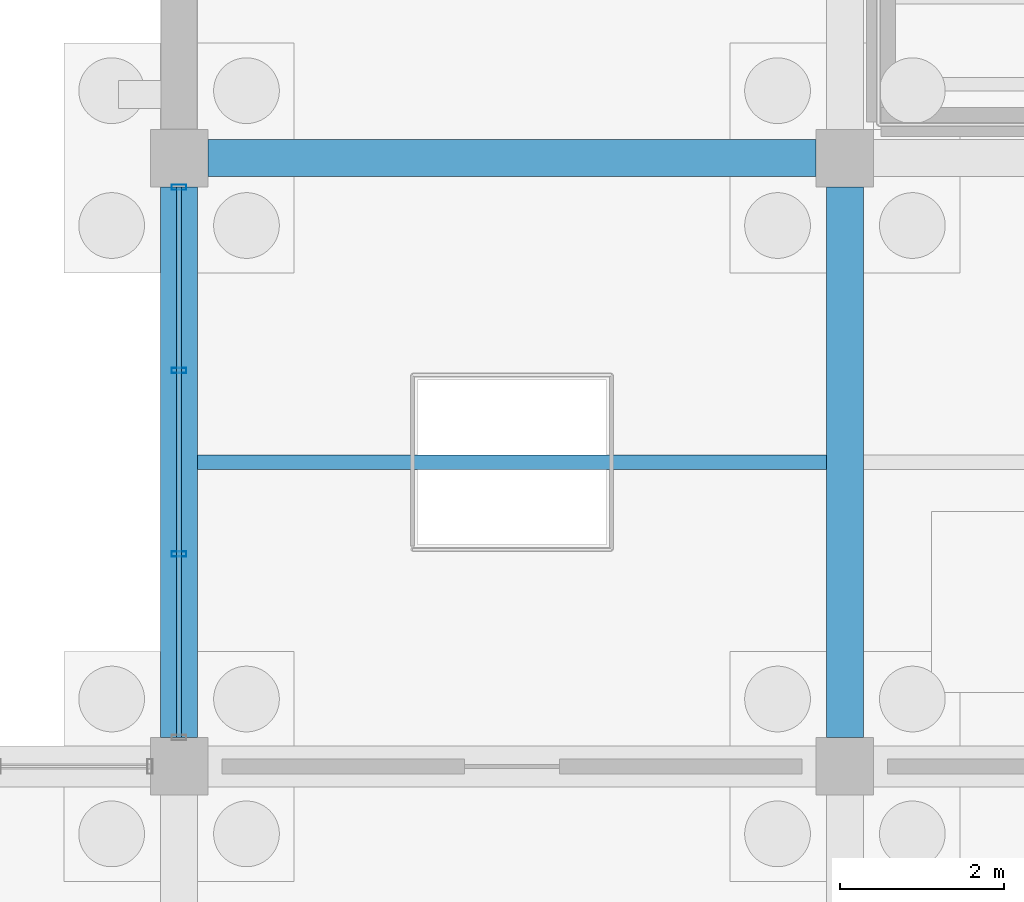
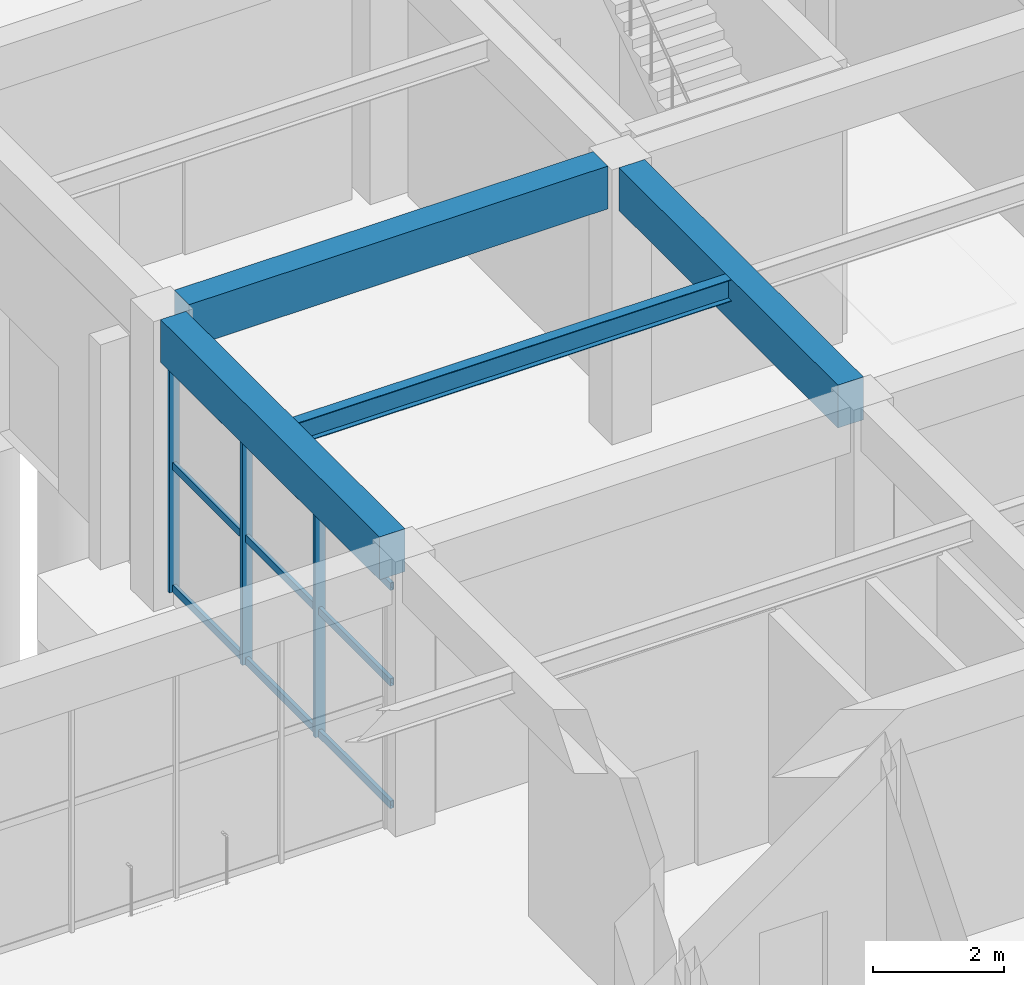
# One storey, part 96 of 140: 6 members, 4 beams, 1 element without a shape of its own.
"""IFC4 building model written with IfcOpenShell, lengths in metres."""

from ifc_helpers import new_model, si_unit, direction, frame, origin, origin_2d, place, context, subcontext, project, spatial, rectangle, hollow_rectangle, i_section, extrude, material, material_profile, profile_set, type_object, element, aggregate, save


model = new_model("IFC4")

# Units and contexts
model_context = context("Model", 3, precision=1e-05, world=origin(), true_north=direction((0.0, 1.0)))
body_context = subcontext(model_context, "Body", "Model", "MODEL_VIEW")
ifc_project = project(units=[si_unit("LENGTHUNIT", "METRE"), si_unit("AREAUNIT", "SQUARE_METRE"), si_unit("VOLUMEUNIT", "CUBIC_METRE"), si_unit("PLANEANGLEUNIT", "RADIAN"), si_unit("MASSUNIT", "GRAM", prefix="KILO")], contexts=[model_context])

# Site, building, storey
site_placement = place(None, origin())
site = spatial("IfcSite", under=ifc_project, at=site_placement, CompositionType="ELEMENT")
building_placement = place(site_placement, origin())
building = spatial("IfcBuilding", under=site, at=building_placement, Name="Cimatlan Art Gallery", CompositionType="ELEMENT")
storey_placement = place(building_placement, origin())
storey = spatial("IfcBuildingStorey", under=building, at=storey_placement, Name="L00", CompositionType="ELEMENT", Elevation=0.0)

# Beams
ifc_material_1 = material(Name="Concrete C40/50", Category="concrete")
ifc_material_profile_1 = material_profile(ifc_material_1, rectangle(XDim=0.449951171875, YDim=0.800048828125, at=origin_2d()), Name="RC450X800")
ifc_profile_set_1 = profile_set([ifc_material_profile_1], Name="Concrete C40/50")
beam_type_1 = type_object("IfcBeamType", Name="BM-RC-450X800", PredefinedType="BEAM", material=ifc_profile_set_1)
for number, where, z_axis, x_axis, name in (
    (1, (147.800048828125, 39.050048828125, 4.735107421875), (0.0, 1.0, 0.0), (-1.0, 0.0, 0.0), "BM-Y-L00-18-05"),
    (2, (155.89990234375, 39.050048828125, 4.735107421875), (0.0, 1.0, 0.0), (-1.0, 0.0, 0.0), "BM-Y-L00-19-05"),
):
    element("IfcBeam", number, at=place(storey_placement, frame(where, z_axis=z_axis, x_axis=x_axis)), inside=storey, type_object=beam_type_1, Name=name, PredefinedType="BEAM", context=body_context, shape_type="SweptSolid", body=[
        extrude(rectangle(XDim=0.449951171875, YDim=0.800048828125, at=origin_2d()), origin(), (0.0, 0.0, 1.0), 6.699951171875),
    ])
beam_1_placement = place(storey_placement, frame((148.14990234375, 46.10009765625, 4.735107421875), z_axis=(1.0, 0.0, 0.0), x_axis=(0.0, 1.0, 0.0)))
element("IfcBeam", 3, at=beam_1_placement, inside=storey, type_object=beam_type_1, Name="BM-X-L00-18-06", PredefinedType="BEAM", context=body_context, shape_type="SweptSolid", body=[
    extrude(rectangle(XDim=0.449951171875, YDim=0.800048828125, at=origin_2d()), origin(), (0.0, 0.0, 1.0), 7.400146484375),
])
ifc_material_2 = material(Name="Steel ASTM A992 Grade 50", Category="steel")
ifc_material_profile_2 = material_profile(ifc_material_2, i_section(OverallWidth=0.177978515625, OverallDepth=0.406982421875, WebThickness=0.0078125, FlangeThickness=0.0126953125, at=origin_2d()), Name="W16X40")
ifc_profile_set_2 = profile_set([ifc_material_profile_2], Name="Steel ASTM A992 Grade 50")
beam_type_2 = type_object("IfcBeamType", Name="BM-STL-W16X40", PredefinedType="JOIST", material=ifc_profile_set_2)
beam_2_placement = place(storey_placement, frame((148.02490234375, 42.39990234375, 4.931396484375), z_axis=(1.0, 0.0, 0.0), x_axis=(0.0, 1.0, 0.0)))
element("IfcBeam", 4, at=beam_2_placement, inside=storey, type_object=beam_type_2, Name="JST-L00-18-05", PredefinedType="JOIST", context=body_context, shape_type="SweptSolid", body=[
    extrude(i_section(OverallWidth=0.177978515625, OverallDepth=0.406982421875, WebThickness=0.0078125, FlangeThickness=0.0126953125, at=origin_2d()), origin(), (0.0, 0.0, 1.0), 7.650146484375),
])

# Curtain wall, members
ifc_material_3 = material(Name="Anodised bronze unitised curtain wall")
curtain_wall_type = type_object("IfcCurtainWallType", Name="CW-V-06692X04195-B3", PredefinedType="NOTDEFINED", material=ifc_material_3)
curtain_wall_placement = place(storey_placement, origin())
curtain_wall = element("IfcCurtainWall", 5, at=curtain_wall_placement, inside=storey, type_object=curtain_wall_type, Name="CW-L00-18-05-W", PredefinedType="NOTDEFINED")
ifc_material_4 = material(Name="Anodised bronze aluminium 6063-T6", Category="aluminium")
ifc_material_profile_3 = material_profile(ifc_material_4, hollow_rectangle(XDim=0.06494140625, YDim=0.179931640625, WallThickness=0.00390625, at=origin_2d()), Name="ALU65X180X4")
ifc_profile_set_3 = profile_set([ifc_material_profile_3], Name="Anodised bronze aluminium 6063-T6")
member_type_1 = type_object("IfcMemberType", Name="CW-MUL-180", PredefinedType="MULLION", material=ifc_profile_set_3)
member_1_placement = place(storey_placement, frame((147.800048828125, 41.28466796875, 0.0), z_axis=(0.0, 0.0, 1.0), x_axis=(0.0, 1.0, 0.0)))
member_1 = element("IfcMember", 6, at=member_1_placement, type_object=member_type_1, Name="CW-L00-18-05-W-M2", PredefinedType="MULLION", context=body_context, shape_type="SweptSolid", body=[
    extrude(hollow_rectangle(XDim=0.06494140625, YDim=0.179931640625, WallThickness=0.00390625, at=origin_2d()), origin(), (0.0, 0.0, 1.0), 4.195068359375),
])
member_2_placement = place(storey_placement, frame((147.800048828125, 43.515380859375, 0.0), z_axis=(0.0, 0.0, 1.0), x_axis=(0.0, 1.0, 0.0)))
member_2 = element("IfcMember", 7, at=member_2_placement, type_object=member_type_1, Name="CW-L00-18-05-W-M3", PredefinedType="MULLION", context=body_context, shape_type="SweptSolid", body=[
    extrude(hollow_rectangle(XDim=0.06494140625, YDim=0.179931640625, WallThickness=0.00390625, at=origin_2d()), origin(), (0.0, 0.0, 1.0), 4.195068359375),
])
member_3_placement = place(storey_placement, frame((147.800048828125, 45.74609375, 0.0), z_axis=(0.0, 0.0, 1.0), x_axis=(0.0, 1.0, 0.0)))
member_3 = element("IfcMember", 8, at=member_3_placement, type_object=member_type_1, Name="CW-L00-18-05-W-M4", PredefinedType="MULLION", context=body_context, shape_type="SweptSolid", body=[
    extrude(hollow_rectangle(XDim=0.06494140625, YDim=0.179931640625, WallThickness=0.00390625, at=origin_2d()), origin(), (0.0, 0.0, 1.0), 4.195068359375),
])
ifc_material_profile_4 = material_profile(ifc_material_4, hollow_rectangle(XDim=0.06494140625, YDim=0.139892578125, WallThickness=0.00390625, at=origin_2d()), Name="ALU65X140X4")
ifc_profile_set_4 = profile_set([ifc_material_profile_4], Name="Anodised bronze aluminium 6063-T6")
member_type_2 = type_object("IfcMemberType", Name="CW-TRN-140", PredefinedType="USERDEFINED", material=ifc_profile_set_4)
member_4_placement = place(storey_placement, frame((147.800048828125, 39.053955078125, 0.06005859375), z_axis=(0.0, 1.0, 0.0), x_axis=(-1.0, 0.0, 0.0)))
member_4 = element("IfcMember", 9, at=member_4_placement, type_object=member_type_2, Name="CW-L00-18-05-W-T1", ObjectType="TRANSOM", PredefinedType="USERDEFINED", context=body_context, shape_type="SweptSolid", body=[
    extrude(hollow_rectangle(XDim=0.06494140625, YDim=0.139892578125, WallThickness=0.00390625, at=origin_2d()), origin(), (0.0, 0.0, 1.0), 6.692138671875),
])
member_5_placement = place(storey_placement, frame((147.800048828125, 39.053955078125, 2.34912109375), z_axis=(0.0, 1.0, 0.0), x_axis=(-1.0, 0.0, 0.0)))
member_5 = element("IfcMember", 10, at=member_5_placement, type_object=member_type_2, Name="CW-L00-18-05-W-T2", ObjectType="TRANSOM", PredefinedType="USERDEFINED", context=body_context, shape_type="SweptSolid", body=[
    extrude(hollow_rectangle(XDim=0.06494140625, YDim=0.139892578125, WallThickness=0.00390625, at=origin_2d()), origin(), (0.0, 0.0, 1.0), 6.692138671875),
])
member_6_placement = place(storey_placement, frame((147.800048828125, 39.053955078125, 4.135009765625), z_axis=(0.0, 1.0, 0.0), x_axis=(-1.0, 0.0, 0.0)))
member_6 = element("IfcMember", 11, at=member_6_placement, type_object=member_type_2, Name="CW-L00-18-05-W-T3", ObjectType="TRANSOM", PredefinedType="USERDEFINED", context=body_context, shape_type="SweptSolid", body=[
    extrude(hollow_rectangle(XDim=0.06494140625, YDim=0.139892578125, WallThickness=0.00390625, at=origin_2d()), origin(), (0.0, 0.0, 1.0), 6.692138671875),
])
aggregate(curtain_wall, [member_1, member_2, member_3, member_4, member_5, member_6])

save(model, "model.ifc")
